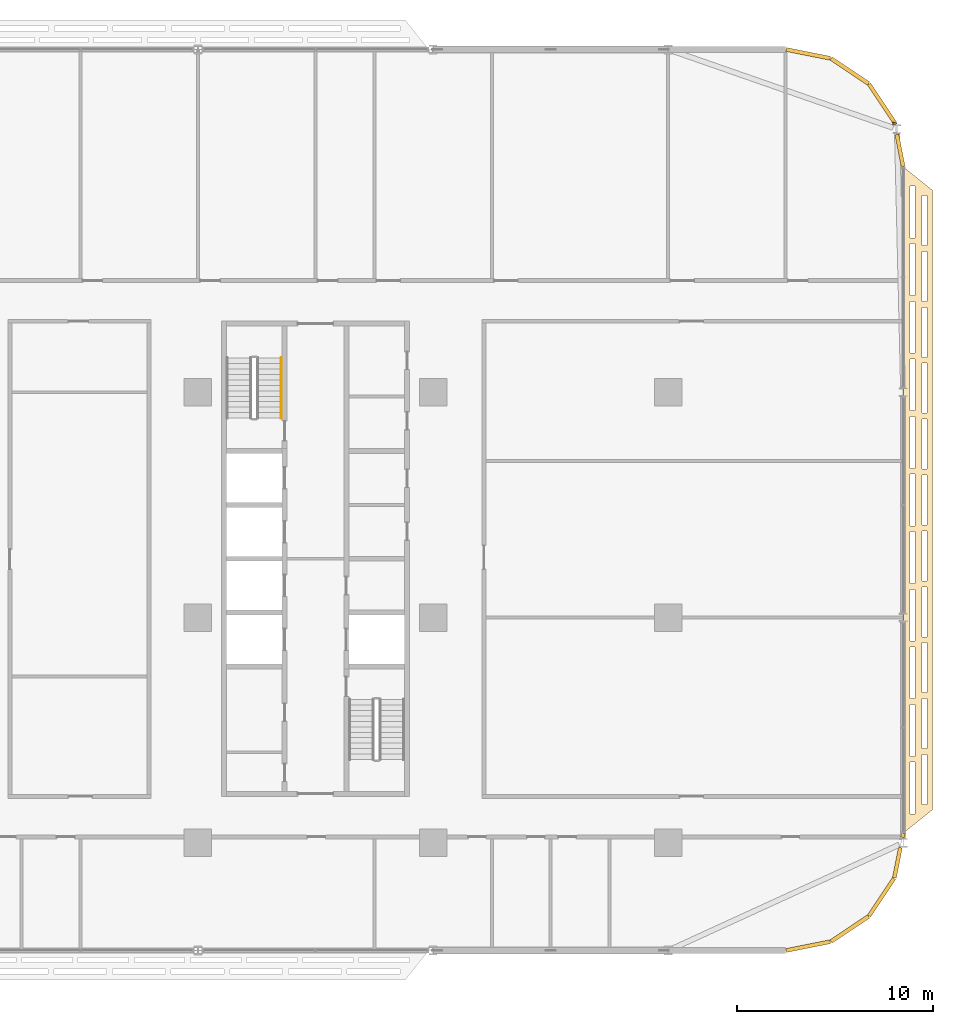
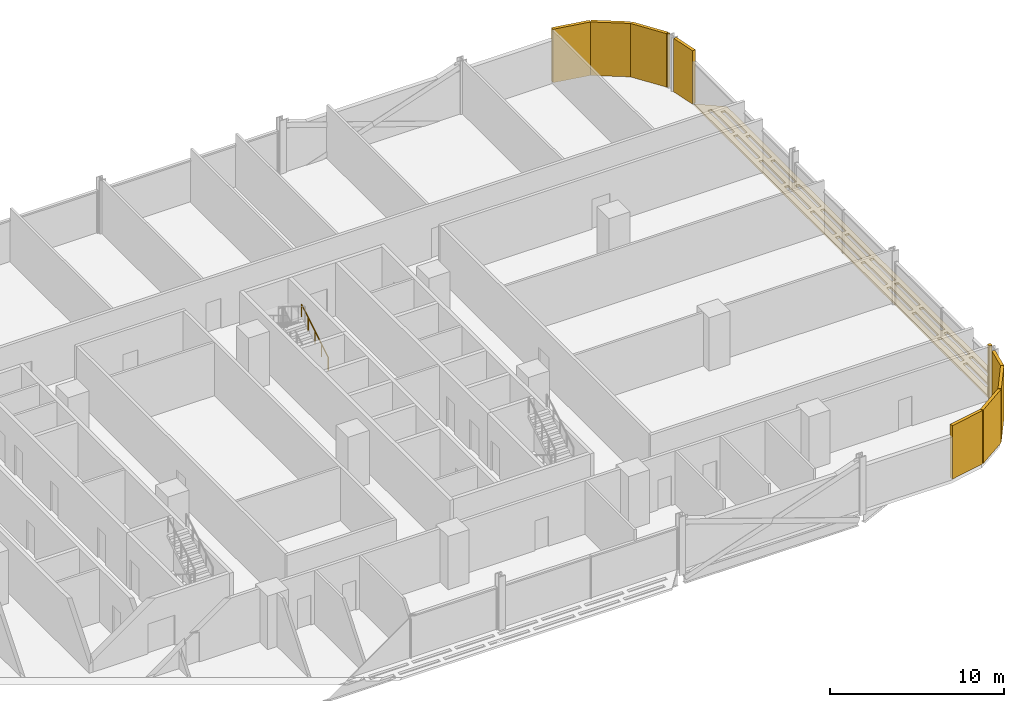
# One storey, part 29 of 29: 11 coverings, 1 railing.
"""IFC4 building model written with IfcOpenShell, lengths in metres."""

import ifcopenshell
import ifcopenshell.guid

model = None  # the IFC model being written
_history = None  # IfcOwnerHistory: only IFC2X3 demands one
_inside = {}  # id of a spatial element -> (the spatial element, [elements in it])
_under = {}  # id of a project, library or spatial element -> (it, [spatial elements below it])
_declared = {}  # id of a project -> (the project, [libraries it declares])
_typed = {}  # id of a type object -> (the type object, [elements of that type])
_made_of = {}  # id of a material, layer set ... -> (it, [elements and type objects made of it])


def new_model(schema):
    """Start an empty IFC model of exactly this schema.

    Asked for "IFC4X3", IfcOpenShell would pick the latest addendum, in which some entities
    have other attributes; the version numbers below select the first issue.
    IFC2X3 requires an IfcOwnerHistory on every rooted entity: one is made here for all.
    """
    global model, _history
    if schema == "IFC4X3":
        model = ifcopenshell.file(schema_version=(4, 3, 0, 0))
    else:
        model = ifcopenshell.file(schema=schema)
    _inside.clear()
    _under.clear()
    _declared.clear()
    _typed.clear()
    _made_of.clear()
    _history = None
    if model.schema == "IFC2X3":
        org = make("IfcOrganization", Name="unknown")
        user = make(
            "IfcPersonAndOrganization",
            ThePerson=make("IfcPerson", FamilyName="unknown"),
            TheOrganization=org,
        )
        app = make(
            "IfcApplication",
            ApplicationDeveloper=org,
            Version="unknown",
            ApplicationFullName="unknown",
            ApplicationIdentifier="unknown",
        )
        _history = make(
            "IfcOwnerHistory",
            OwningUser=user,
            OwningApplication=app,
            ChangeAction="ADDED",
            CreationDate=0,
        )
    return model


def make(cls, **values):
    """One entity of the class cls with the attributes given. An attribute that is None is left unset."""
    return model.create_entity(
        cls, **{name: value for name, value in values.items() if value is not None}
    )


def rooted(cls, **values):
    """An entity with a GlobalId (a new one), such as an element, a storey or a relation."""
    return make(cls, GlobalId=ifcopenshell.guid.new(), OwnerHistory=_history, **values)


def si_unit(unit_type, name, prefix=None):
    """IfcSIUnit, for example si_unit("LENGTHUNIT", "METRE", prefix="MILLI")."""
    return make("IfcSIUnit", UnitType=unit_type, Prefix=prefix, Name=name)


def assignment(units):
    """IfcUnitAssignment: the units of a project."""
    return None if units is None else make("IfcUnitAssignment", Units=units)


def point(xyz):
    """IfcCartesianPoint."""
    return None if xyz is None else make("IfcCartesianPoint", Coordinates=xyz)


def direction(xyz):
    """IfcDirection."""
    return None if xyz is None else make("IfcDirection", DirectionRatios=xyz)


def frame(location, z_axis=None, x_axis=None):
    """IfcAxis2Placement3D, a coordinate frame: its origin and axes. An axis left out is left unset."""
    return make(
        "IfcAxis2Placement3D",
        Location=point(location),
        Axis=direction(z_axis),
        RefDirection=direction(x_axis),
    )


def frame_2d(location, x_axis=None):
    """IfcAxis2Placement2D, a coordinate frame in the plane: its origin and x axis."""
    return make(
        "IfcAxis2Placement2D", Location=point(location), RefDirection=direction(x_axis)
    )


def origin():
    """The frame at (0, 0, 0) with its axes left unset."""
    return frame((0.0, 0.0, 0.0))


def origin_2d():
    """The frame at (0, 0) in the plane with its x axis left unset."""
    return frame_2d((0.0, 0.0))


def place(relative_to, where):
    """IfcLocalPlacement: puts the frame where relative to a parent placement (None: the world)."""
    return make(
        "IfcLocalPlacement", PlacementRelTo=relative_to, RelativePlacement=where
    )


def context(
    kind, dimensions, precision=None, world=None, true_north=None, identifier=None
):
    """IfcGeometricRepresentationContext, for example the 3D "Model" context."""
    return make(
        "IfcGeometricRepresentationContext",
        ContextIdentifier=identifier,
        ContextType=kind,
        CoordinateSpaceDimension=dimensions,
        Precision=precision,
        WorldCoordinateSystem=world,
        TrueNorth=true_north,
    )


def subcontext(parent, identifier, kind, view, scale=None):
    """IfcGeometricRepresentationSubContext, for example "Body" below "Model"."""
    return make(
        "IfcGeometricRepresentationSubContext",
        ContextIdentifier=identifier,
        ContextType=kind,
        ParentContext=parent,
        TargetScale=scale,
        TargetView=view,
    )


def project(units=None, contexts=None):
    """IfcProject with its units and contexts."""
    return rooted(
        "IfcProject",
        Name="project",
        RepresentationContexts=contexts,
        UnitsInContext=assignment(units),
    )


def spatial(cls, under=None, at=None, **own):
    """A site, building, storey or space (cls), placed at a placement, below another one or the project."""
    s = rooted(cls, ObjectPlacement=at, **own)
    if under is not None:
        _under.setdefault(under.id(), (under, []))[1].append(s)
    return s


def polyline(points):
    """IfcPolyline through the points."""
    return make("IfcPolyline", Points=[point(p) for p in points])


def profile(cls, at=None, kind="AREA", **sizes):
    """A parametric profile (cls). Its sizes go by their IFC names, for example OverallWidth=200.0."""
    return make(cls, ProfileType=kind, Position=at, **sizes)


def rectangle(**sizes):
    """IfcRectangleProfileDef."""
    return profile("IfcRectangleProfileDef", **sizes)


def circle(**sizes):
    """IfcCircleProfileDef."""
    return profile("IfcCircleProfileDef", **sizes)


def outline(outer, holes=None, kind="AREA"):
    """IfcArbitraryClosedProfileDef: a profile drawn as a closed curve; with holes, ...WithVoids."""
    if holes is None:
        return make("IfcArbitraryClosedProfileDef", ProfileType=kind, OuterCurve=outer)
    return make(
        "IfcArbitraryProfileDefWithVoids",
        ProfileType=kind,
        OuterCurve=outer,
        InnerCurves=holes,
    )


def extrude(swept, where, along, depth):
    """IfcExtrudedAreaSolid: the profile swept, set in the frame where, extruded along a direction by depth."""
    return make(
        "IfcExtrudedAreaSolid",
        SweptArea=swept,
        Position=where,
        ExtrudedDirection=direction(along),
        Depth=depth,
    )


def shape(context_of_items, identifier, shape_type, items):
    """IfcShapeRepresentation: the items that make up one representation, for example the "Body"."""
    return make(
        "IfcShapeRepresentation",
        ContextOfItems=context_of_items,
        RepresentationIdentifier=identifier,
        RepresentationType=shape_type,
        Items=items,
    )


def material(Name=None, Category=None):
    """IfcMaterial."""
    return make("IfcMaterial", Name=Name, Category=Category)


def layer(
    of_material, thickness, ventilated=None, Name=None, Category=None, Priority=None
):
    """IfcMaterialLayer: one layer of a wall or slab, of a material (None: an air gap)."""
    return make(
        "IfcMaterialLayer",
        Material=of_material,
        LayerThickness=thickness,
        IsVentilated=ventilated,
        Name=Name,
        Category=Category,
        Priority=Priority,
    )


def layer_set(layers, Name=None):
    """IfcMaterialLayerSet."""
    return make("IfcMaterialLayerSet", MaterialLayers=layers, LayerSetName=Name)


def made_of(thing, what):
    """Note that an element or type object is made of a material, layer set ...; save() writes the relation."""
    if what is not None:
        _made_of.setdefault(what.id(), (what, []))[1].append(thing)
    return thing


def type_object(cls, material=None, **own):
    """A type object (cls), such as IfcWallType, which elements share."""
    return made_of(rooted(cls, **own), material)


def element(
    cls,
    number,
    at=None,
    inside=None,
    cuts=None,
    type_object=None,
    material=None,
    context=None,
    identifier="Body",
    shape_type=None,
    held_by="IfcProductDefinitionShape",
    body=None,
    shapes=None,
    **own,
):
    """One element of the class cls, such as IfcWall. Its Tag is "e" and its number.

    at: its placement. inside: the storey or other place that contains it. cuts: it is an
    opening in that element (IfcRelVoidsElement). A single representation is given by context,
    identifier, shape_type and body (its items); several are given by shapes. held_by: the class
    of the entity that holds the representations. save() writes the other relations.
    """
    e = rooted(cls, Tag="e%d" % number, ObjectPlacement=at, **own)
    if body is not None:
        shapes = [shape(context, identifier, shape_type, body)]
    if shapes is not None:
        e.Representation = make(held_by, Representations=shapes)
    if inside is not None:
        _inside.setdefault(inside.id(), (inside, []))[1].append(e)
    if cuts is not None:
        rooted(
            "IfcRelVoidsElement", RelatingBuildingElement=cuts, RelatedOpeningElement=e
        )
    if type_object is not None:
        _typed.setdefault(type_object.id(), (type_object, []))[1].append(e)
    return made_of(e, material)


def aggregate(whole, parts):
    """IfcRelAggregates: a whole, such as a stair, and the parts it consists of."""
    return rooted("IfcRelAggregates", RelatingObject=whole, RelatedObjects=parts)


def save(model, path):
    """Write the relations noted so far, then the file.

    IfcRelAggregates (storeys below a building ...), IfcRelContainedInSpatialStructure (elements
    in a storey), IfcRelDefinesByType, IfcRelAssociatesMaterial and IfcRelDeclares: one each for
    every whole, place, type object, material and project.
    """
    for whole, parts in _under.values():
        aggregate(whole, parts)
    for where, things in _inside.values():
        rooted(
            "IfcRelContainedInSpatialStructure",
            RelatedElements=things,
            RelatingStructure=where,
        )
    for kind, things in _typed.values():
        rooted("IfcRelDefinesByType", RelatedObjects=things, RelatingType=kind)
    for what, things in _made_of.values():
        rooted("IfcRelAssociatesMaterial", RelatedObjects=things, RelatingMaterial=what)
    for by, libraries in _declared.values():
        rooted("IfcRelDeclares", RelatingContext=by, RelatedDefinitions=libraries)
    model.write(path)


model = new_model("IFC4")

# Units and contexts
model_context = context("Model", 3, precision=1e-05, world=origin(), true_north=direction((0.0, 1.0)))
body_context = subcontext(model_context, "Body", "Model", "MODEL_VIEW")
ifc_project = project(units=[si_unit("LENGTHUNIT", "METRE"), si_unit("AREAUNIT", "SQUARE_METRE"), si_unit("VOLUMEUNIT", "CUBIC_METRE"), si_unit("PLANEANGLEUNIT", "RADIAN"), si_unit("MASSUNIT", "GRAM", prefix="KILO")], contexts=[model_context])

# Site, building, storey
site_placement = place(None, origin())
site = spatial("IfcSite", under=ifc_project, at=site_placement, CompositionType="ELEMENT")
building_placement = place(site_placement, origin())
building = spatial("IfcBuilding", under=site, at=building_placement, Name="Mahtab Terrace Research Tower", CompositionType="ELEMENT")
storey_placement = place(building_placement, frame((0.0, 0.0, 105.300048828125)))
storey = spatial("IfcBuildingStorey", under=building, at=storey_placement, Name="L24", CompositionType="ELEMENT", Elevation=105.300048828125)

# Coverings
ifc_material_1 = material(Name="Black aluminium cladding panel", Category="aluminium")
ifc_layer_1 = layer(ifc_material_1, 0.199951171875)
ifc_layer_set_1 = layer_set([ifc_layer_1], Name="Black metal corner cladding 200")
covering_type_1 = type_object("IfcCoveringType", Name="Black metal corner cladding 200", PredefinedType="CLADDING", material=ifc_layer_set_1)
for number, where, z_axis, x_axis, name in (
    (1, (52.89306640625, 26.26953125, 0.0), (0.0, 0.0, 1.0), (-0.555291490808, 0.831655794326, 0.0), "Corner cladding L24 0"),
    (2, (51.26953125, 27.89306640625, 0.0), (0.0, 0.0, 1.0), (-0.831655794326, 0.555291490808, 0.0), "Corner cladding L24 1"),
    (3, (49.14794921875, 28.771484375, 0.0), (0.0, 0.0, 1.0), (-0.980760981187, 0.195212442692, 0.0), "Corner cladding L24 2"),
    (4, (49.14794921875, -16.771484375, 0.0), (0.0, 0.0, 1.0), (0.980760981187, 0.195212442692, 0.0), "Corner cladding L24 31"),
    (5, (51.26953125, -15.89306640625, 0.0), (0.0, 0.0, 1.0), (0.831655794326, 0.555291490808, 0.0), "Corner cladding L24 32"),
    (6, (52.89306640625, -14.26953125, 0.0), (0.0, 0.0, 1.0), (0.555291490808, 0.831655794326, 0.0), "Corner cladding L24 33"),
):
    element("IfcCovering", number, at=place(storey_placement, frame(where, z_axis=z_axis, x_axis=x_axis)), inside=storey, type_object=covering_type_1, Name=name, PredefinedType="CLADDING", context=body_context, shape_type="SweptSolid", body=[
        extrude(rectangle(XDim=2.30126953125, YDim=0.199951171875, at=origin_2d()), origin(), (0.0, 0.0, 1.0), 3.760009765625),
    ])
covering_1_placement = place(storey_placement, frame((53.699462890625, -12.51025390625, 0.0), z_axis=(0.0, 0.0, 1.0), x_axis=(0.195212442692, 0.980760981187, 0.0)))
element("IfcCovering", 7, at=covering_1_placement, inside=storey, type_object=covering_type_1, Name="Corner cladding L24 34", PredefinedType="CLADDING", context=body_context, shape_type="SweptSolid", body=[
    extrude(rectangle(XDim=1.562744140625, YDim=0.199951171875, at=origin_2d()), origin(), (0.0, 0.0, 1.0), 3.760009765625),
])
covering_2_placement = place(storey_placement, frame((53.977294921875, -11.114013671875, 0.0), z_axis=(0.0, 0.0, 1.0), x_axis=(0.195212442692, 0.980760981187, 0.0)))
element("IfcCovering", 8, at=covering_2_placement, inside=storey, type_object=covering_type_1, Name="Corner cladding L24 35", PredefinedType="CLADDING", context=body_context, shape_type="SweptSolid", body=[
    extrude(rectangle(XDim=0.212158203125, YDim=0.199951171875, at=origin_2d()), origin(), (0.0, 0.0, 1.0), 3.760009765625),
])
covering_3_placement = place(storey_placement, frame((53.833740234375, 23.83544921875, 0.0), z_axis=(0.0, 0.0, 1.0), x_axis=(-0.195212442692, 0.980760981187, 0.0)))
element("IfcCovering", 9, at=covering_3_placement, inside=storey, type_object=covering_type_1, Name="Corner cladding L24 39", PredefinedType="CLADDING", context=body_context, shape_type="SweptSolid", body=[
    extrude(rectangle(XDim=1.6640625, YDim=0.199951171875, at=origin_2d()), origin(), (0.0, 0.0, 1.0), 3.760009765625),
])
covering_4_placement = place(storey_placement, frame((53.5556640625, 25.231689453125, 0.0), z_axis=(0.0, 0.0, 1.0), x_axis=(-0.195212442692, 0.980760981187, 0.0)))
element("IfcCovering", 10, at=covering_4_placement, inside=storey, type_object=covering_type_1, Name="Corner cladding L24 40", PredefinedType="CLADDING", context=body_context, shape_type="SweptSolid", body=[
    extrude(rectangle(XDim=0.11083984375, YDim=0.199951171875, at=origin_2d()), origin(), (0.0, 0.0, 1.0), 3.760009765625),
])
ifc_material_2 = material(Name="Black anodised aluminium", Category="aluminium")
ifc_layer_2 = layer(ifc_material_2, 0.14990234375)
ifc_layer_set_2 = layer_set([ifc_layer_2], Name="Horizontal sunshade band")
covering_type_2 = type_object("IfcCoveringType", Name="Horizontal sunshade band", PredefinedType="CLADDING", material=ifc_layer_set_2)
covering_5_placement = place(storey_placement, frame((0.0, 0.0, -0.150146484375)))
element("IfcCovering", 11, at=covering_5_placement, inside=storey, type_object=covering_type_2, Name="Sunshade band L24 36", PredefinedType="CLADDING", context=body_context, shape_type="SweptSolid", body=[
    extrude(outline(polyline([(54.0, -11.0), (54.0, 23.0), (55.5, 21.800048828125), (55.5, -9.800048828125), (54.0, -11.0)]), holes=[polyline([(54.35009765625, -10.02001953125), (54.35009765625, -7.3798828125), (54.60009765625, -7.3798828125), (54.60009765625, -10.02001953125), (54.35009765625, -10.02001953125)]), polyline([(54.35009765625, -7.080078125), (54.35009765625, -4.43994140625), (54.60009765625, -4.43994140625), (54.60009765625, -7.080078125), (54.35009765625, -7.080078125)]), polyline([(54.35009765625, -4.139892578125), (54.35009765625, -1.5), (54.60009765625, -1.5), (54.60009765625, -4.139892578125), (54.35009765625, -4.139892578125)]), polyline([(54.35009765625, -1.199951171875), (54.35009765625, 1.43994140625), (54.60009765625, 1.43994140625), (54.60009765625, -1.199951171875), (54.35009765625, -1.199951171875)]), polyline([(54.35009765625, 1.739990234375), (54.35009765625, 4.3798828125), (54.60009765625, 4.3798828125), (54.60009765625, 1.739990234375), (54.35009765625, 1.739990234375)]), polyline([(54.35009765625, 4.679931640625), (54.35009765625, 7.320068359375), (54.60009765625, 7.320068359375), (54.60009765625, 4.679931640625), (54.35009765625, 4.679931640625)]), polyline([(54.35009765625, 7.6201171875), (54.35009765625, 10.260009765625), (54.60009765625, 10.260009765625), (54.60009765625, 7.6201171875), (54.35009765625, 7.6201171875)]), polyline([(54.35009765625, 10.56005859375), (54.35009765625, 13.199951171875), (54.60009765625, 13.199951171875), (54.60009765625, 10.56005859375), (54.35009765625, 10.56005859375)]), polyline([(54.35009765625, 13.5), (54.35009765625, 16.139892578125), (54.60009765625, 16.139892578125), (54.60009765625, 13.5), (54.35009765625, 13.5)]), polyline([(54.35009765625, 16.43994140625), (54.35009765625, 19.080078125), (54.60009765625, 19.080078125), (54.60009765625, 16.43994140625), (54.35009765625, 16.43994140625)]), polyline([(54.35009765625, 19.3798828125), (54.35009765625, 22.02001953125), (54.60009765625, 22.02001953125), (54.60009765625, 19.3798828125), (54.35009765625, 19.3798828125)]), polyline([(54.949951171875, -9.5400390625), (54.949951171875, -6.987060546875), (55.199951171875, -6.987060546875), (55.199951171875, -9.5400390625), (54.949951171875, -9.5400390625)]), polyline([(54.949951171875, -6.68701171875), (54.949951171875, -4.135009765625), (55.199951171875, -4.135009765625), (55.199951171875, -6.68701171875), (54.949951171875, -6.68701171875)]), polyline([(54.949951171875, -3.8349609375), (54.949951171875, -1.281982421875), (55.199951171875, -1.281982421875), (55.199951171875, -3.8349609375), (54.949951171875, -3.8349609375)]), polyline([(54.949951171875, -0.98193359375), (54.949951171875, 1.571044921875), (55.199951171875, 1.571044921875), (55.199951171875, -0.98193359375), (54.949951171875, -0.98193359375)]), polyline([(54.949951171875, 1.87109375), (54.949951171875, 4.424072265625), (55.199951171875, 4.424072265625), (55.199951171875, 1.87109375), (54.949951171875, 1.87109375)]), polyline([(54.949951171875, 4.72412109375), (54.949951171875, 7.27587890625), (55.199951171875, 7.27587890625), (55.199951171875, 4.72412109375), (54.949951171875, 4.72412109375)]), polyline([(54.949951171875, 7.575927734375), (54.949951171875, 10.12890625), (55.199951171875, 10.12890625), (55.199951171875, 7.575927734375), (54.949951171875, 7.575927734375)]), polyline([(54.949951171875, 10.428955078125), (54.949951171875, 12.98193359375), (55.199951171875, 12.98193359375), (55.199951171875, 10.428955078125), (54.949951171875, 10.428955078125)]), polyline([(54.949951171875, 13.281982421875), (54.949951171875, 15.8349609375), (55.199951171875, 15.8349609375), (55.199951171875, 13.281982421875), (54.949951171875, 13.281982421875)]), polyline([(54.949951171875, 16.135009765625), (54.949951171875, 18.68701171875), (55.199951171875, 18.68701171875), (55.199951171875, 16.135009765625), (54.949951171875, 16.135009765625)]), polyline([(54.949951171875, 18.987060546875), (54.949951171875, 21.5400390625), (55.199951171875, 21.5400390625), (55.199951171875, 18.987060546875), (54.949951171875, 18.987060546875)])]), origin(), (0.0, 0.0, 1.0), 0.150146484375),
])

# Railing
ifc_material_3 = material(Name="Stainless steel AISI 304", Category="steel")
railing_type = type_object("IfcRailingType", Name="Stair handrail 900", PredefinedType="HANDRAIL", material=ifc_material_3)
railing_placement = place(storey_placement, frame((22.25, 10.175048828125, 0.1708984375)))
element("IfcRailing", 12, at=railing_placement, inside=storey, type_object=railing_type, Name="L24 ST3 stair handrail 1", PredefinedType="HANDRAIL", context=body_context, shape_type="SweptSolid", body=[
    extrude(circle(Radius=0.02392578125, at=origin_2d()), frame((0.0, 0.0, 0.8759765625), z_axis=(0.0, 0.853647949592, 0.520850437417), x_axis=(-1.0, 0.0, 0.0)), (0.0, 0.0, 1.0), 3.60791015625),
    extrude(circle(Radius=0.02099609375, at=origin_2d()), origin(), (0.0, 0.0, 1.0), 0.851806640625),
    extrude(circle(Radius=0.02099609375, at=origin_2d()), frame((0.0, 0.77001953125, 0.4697265625)), (0.0, 0.0, 1.0), 0.851806640625),
    extrude(circle(Radius=0.02099609375, at=origin_2d()), frame((0.0, 1.5400390625, 0.939453125)), (0.0, 0.0, 1.0), 0.851806640625),
    extrude(circle(Radius=0.02099609375, at=origin_2d()), frame((0.0, 2.309814453125, 1.409423828125)), (0.0, 0.0, 1.0), 0.851806640625),
    extrude(circle(Radius=0.02099609375, at=origin_2d()), frame((0.0, 3.079833984375, 1.879150390625)), (0.0, 0.0, 1.0), 0.851806640625),
])

save(model, "model.ifc")
